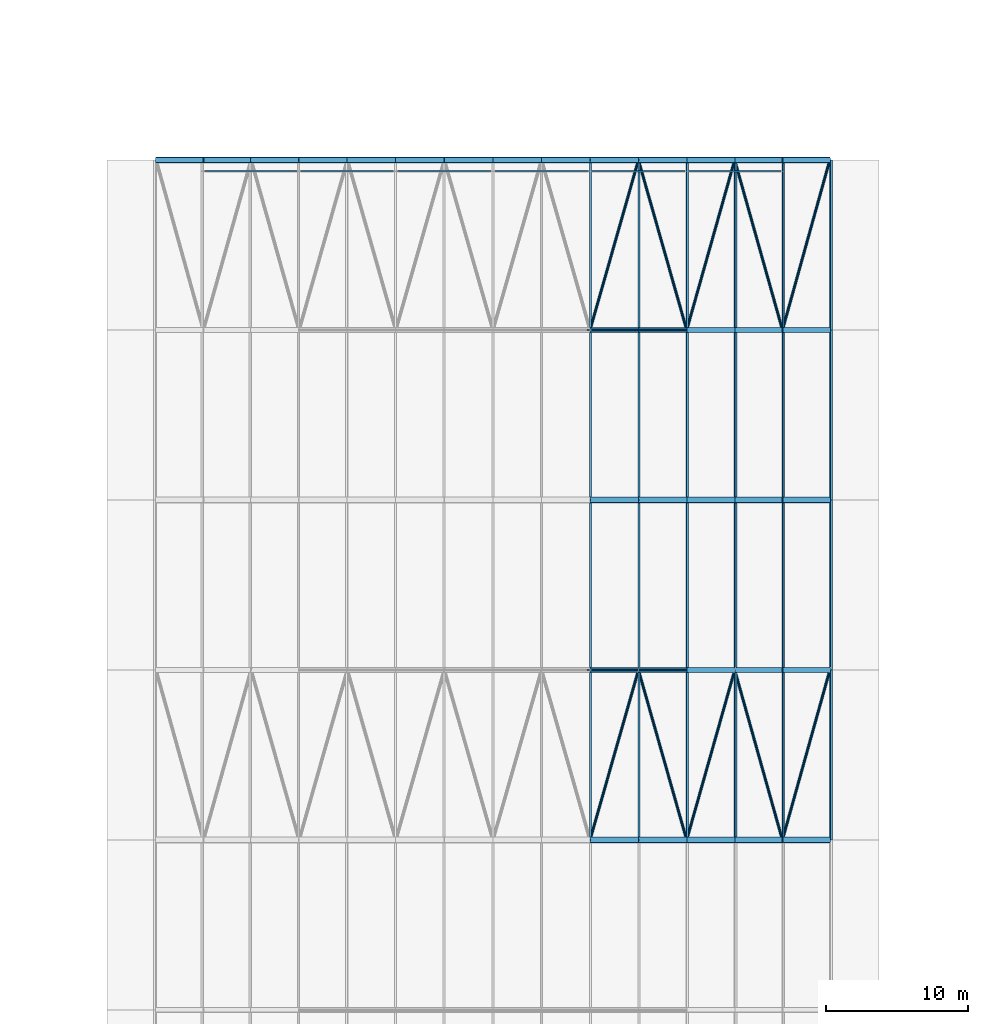
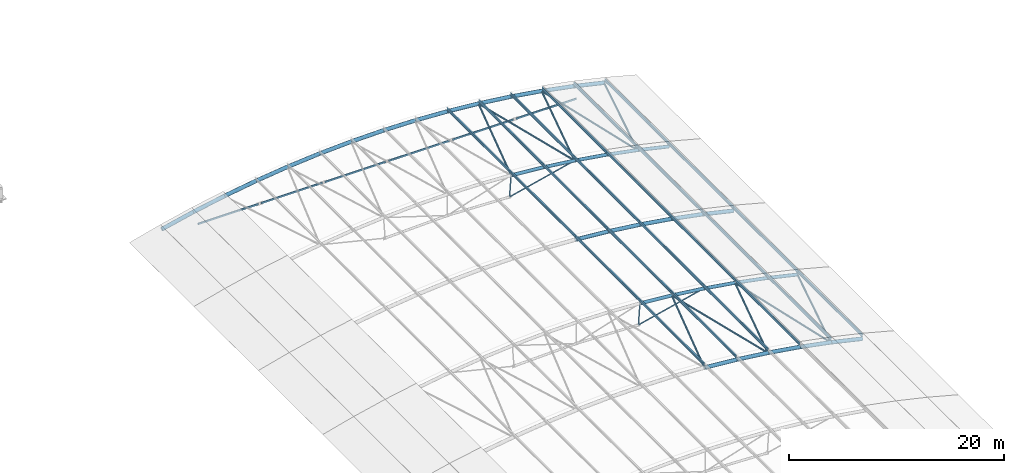
# One storey, part 41 of 91: 78 members.
"""IFC4 building model written with IfcOpenShell, lengths in metres."""

from ifc_helpers import new_model, si_unit, direction, frame, origin, origin_2d, place, context, subcontext, project, spatial, hollow_rectangle, hollow_circle, i_section, extrude, material, material_profile, profile_set, type_object, element, save


model = new_model("IFC4")

# Units and contexts
model_context = context("Model", 3, precision=1e-05, world=origin(), true_north=direction((0.0, 1.0)))
body_context = subcontext(model_context, "Body", "Model", "MODEL_VIEW")
ifc_project = project(units=[si_unit("LENGTHUNIT", "METRE"), si_unit("AREAUNIT", "SQUARE_METRE"), si_unit("VOLUMEUNIT", "CUBIC_METRE"), si_unit("PLANEANGLEUNIT", "RADIAN"), si_unit("MASSUNIT", "GRAM", prefix="KILO")], contexts=[model_context])

# Site, building, storey
site_placement = place(None, origin())
site = spatial("IfcSite", under=ifc_project, at=site_placement, CompositionType="ELEMENT")
building_placement = place(site_placement, origin())
building = spatial("IfcBuilding", under=site, at=building_placement, Name="Ravi Spectrum Wholesale Market", CompositionType="ELEMENT")
storey_placement = place(building_placement, frame((0.0, 0.0, 16.199951171875)))
storey = spatial("IfcBuildingStorey", under=building, at=storey_placement, Name="ROOF PLANT LEVEL", CompositionType="ELEMENT", Elevation=16.199951171875)

# Members
ifc_material_1 = material(Name="Steel S355", Category="steel")
ifc_material_profile_1 = material_profile(ifc_material_1, hollow_circle(Radius=0.06982421875, WallThickness=0.0048828125, at=origin_2d()))
ifc_profile_set_1 = profile_set([ifc_material_profile_1], Name="Steel S355")
member_type_1 = type_object("IfcMemberType", Name="CHS 139.7x5 brace", PredefinedType="BRACE", material=ifc_profile_set_1)
for number, where, z_axis, x_axis, name in (
    (1, (83.681884765625, 162.0, 2.079833984375), (-0.97214359809, 0.0, -0.234386059083), (0.0, -1.0, 0.0), "H1-MB-L02-963"),
    (2, (83.681884765625, 186.0, 2.079833984375), (-0.97214359809, 0.0, -0.234386059083), (0.0, -1.0, 0.0), "H1-MB-L02-1125"),
):
    element("IfcMember", number, at=place(storey_placement, frame(where, z_axis=z_axis, x_axis=x_axis)), inside=storey, type_object=member_type_1, Name=name, PredefinedType="BRACE", context=body_context, shape_type="SweptSolid", body=[
        extrude(hollow_circle(Radius=0.06982421875, WallThickness=0.0048828125, at=origin_2d()), origin(), (0.0, 0.0, 1.0), 7.190185546875),
    ])
ifc_material_2 = material(Name="Steel S355", Category="steel")
ifc_material_profile_2 = material_profile(ifc_material_2, hollow_circle(Radius=0.06982421875, WallThickness=0.0048828125, at=origin_2d()))
ifc_profile_set_2 = profile_set([ifc_material_profile_2], Name="Steel S355")
member_type_2 = type_object("IfcMemberType", Name="CHS 139.7x5 post", PredefinedType="POST", material=ifc_profile_set_2)
for number, where, z_axis, x_axis, name in (
    (3, (76.857177734375, 162.0, 2.788818359375), (-0.068868423963, 0.0, -0.997625751563), (0.0, -1.0, 0.0), "H1-MB-L02-952"),
    (4, (76.857177734375, 186.0, 2.788818359375), (-0.068868423963, 0.0, -0.997625751563), (0.0, -1.0, 0.0), "H1-MB-L02-1114"),
):
    element("IfcMember", number, at=place(storey_placement, frame(where, z_axis=z_axis, x_axis=x_axis)), inside=storey, type_object=member_type_2, Name=name, PredefinedType="POST", context=body_context, shape_type="SweptSolid", body=[
        extrude(hollow_circle(Radius=0.06982421875, WallThickness=0.0048828125, at=origin_2d()), origin(), (0.0, 0.0, 1.0), 2.39990234375),
    ])
ifc_material_3 = material(Name="Steel S355", Category="steel")
ifc_material_profile_3 = material_profile(ifc_material_3, hollow_circle(Radius=0.096923828125, WallThickness=0.00634765625, at=origin_2d()))
ifc_profile_set_3 = profile_set([ifc_material_profile_3], Name="Steel S355")
member_type_3 = type_object("IfcMemberType", Name="CHS 193.7x6.3 brace", PredefinedType="BRACE", material=ifc_profile_set_3)
member_1_placement = place(storey_placement, frame((76.85546875, 150.0, 2.763427734375), z_axis=(0.274034013599, 0.9614761822, -0.021654340285), x_axis=(-0.961701684624, 0.27409828491, 0.0)))
element("IfcMember", 5, at=member_1_placement, inside=storey, type_object=member_type_3, Name="H1-MB-L02-1694", PredefinedType="BRACE", context=body_context, shape_type="SweptSolid", body=[
    extrude(hollow_circle(Radius=0.096923828125, WallThickness=0.00634765625, at=origin_2d()), origin(), (0.0, 0.0, 1.0), 12.480712890625),
])
member_2_placement = place(storey_placement, frame((80.275634765625, 162.0, 2.4931640625), z_axis=(0.272644331553, -0.961473251867, -0.035131957201), x_axis=(0.962067152996, 0.272812743702, 0.0)))
element("IfcMember", 6, at=member_2_placement, inside=storey, type_object=member_type_3, Name="H1-MB-L02-1695", PredefinedType="BRACE", context=body_context, shape_type="SweptSolid", body=[
    extrude(hollow_circle(Radius=0.096923828125, WallThickness=0.00634765625, at=origin_2d()), origin(), (0.0, 0.0, 1.0), 12.48095703125),
])
member_3_placement = place(storey_placement, frame((83.678466796875, 150.0, 2.0546875), z_axis=(0.271882814956, 0.961478100635, -0.040491936611), x_axis=(-0.962267289503, 0.272105978532, 0.0)))
element("IfcMember", 7, at=member_3_placement, inside=storey, type_object=member_type_3, Name="H1-MB-L02-1696", PredefinedType="BRACE", context=body_context, shape_type="SweptSolid", body=[
    extrude(hollow_circle(Radius=0.096923828125, WallThickness=0.00634765625, at=origin_2d()), origin(), (0.0, 0.0, 1.0), 12.480712890625),
])
for number, where, z_axis, x_axis, name in (
    (8, (87.07177734375, 162.0, 1.54931640625), (0.269573425524, -0.961473986747, -0.053832527904), (0.962870169495, 0.269964880489, 0.0), "H1-MB-L02-1697"),
    (9, (90.436279296875, 150.0, 0.87744140625), (0.268458266113, 0.961473382103, -0.059153147532), (-0.963159952785, 0.26892918278, 0.0), "H1-MB-L02-1698"),
    (10, (76.857177734375, 186.0, 2.788818359375), (0.273700155863, 0.961471559533, -0.025703402287), (-0.961789322244, 0.273790612729, 0.0), "H1-MB-L02-1718"),
):
    element("IfcMember", number, at=place(storey_placement, frame(where, z_axis=z_axis, x_axis=x_axis)), inside=storey, type_object=member_type_3, Name=name, PredefinedType="BRACE", context=body_context, shape_type="SweptSolid", body=[
        extrude(hollow_circle(Radius=0.096923828125, WallThickness=0.00634765625, at=origin_2d()), origin(), (0.0, 0.0, 1.0), 12.48095703125),
    ])
for number, where, z_axis, x_axis, name in (
    (11, (80.273193359375, 198.0, 2.468017578125), (0.273115259603, -0.961478387049, -0.0311025113), (0.961943775579, 0.273247456759, 0.0), "H1-MB-L02-1719"),
    (12, (83.681884765625, 186.0, 2.079833984375), (0.271256737802, 0.961477693548, -0.044501988786), (-0.962431178207, 0.271525739506, 0.0), "H1-MB-L02-1720"),
    (13, (87.0673828125, 198.0, 1.5244140625), (0.270336560063, -0.961474862535, -0.049842080683), (0.962671356068, 0.270672976499, 0.0), "H1-MB-L02-1721"),
):
    element("IfcMember", number, at=place(storey_placement, frame(where, z_axis=z_axis, x_axis=x_axis)), inside=storey, type_object=member_type_3, Name=name, PredefinedType="BRACE", context=body_context, shape_type="SweptSolid", body=[
        extrude(hollow_circle(Radius=0.096923828125, WallThickness=0.00634765625, at=origin_2d()), origin(), (0.0, 0.0, 1.0), 12.480712890625),
    ])
member_4_placement = place(storey_placement, frame((90.44140625, 186.0, 0.90234375), z_axis=(0.267558016602, 0.961471825707, -0.063123974234), x_axis=(-0.963393127067, 0.268092675619, 0.0)))
element("IfcMember", 14, at=member_4_placement, inside=storey, type_object=member_type_3, Name="H1-MB-L02-1722", PredefinedType="BRACE", context=body_context, shape_type="SweptSolid", body=[
    extrude(hollow_circle(Radius=0.096923828125, WallThickness=0.00634765625, at=origin_2d()), origin(), (0.0, 0.0, 1.0), 12.48095703125),
])
ifc_material_4 = material(Name="Steel S355", Category="steel")
ifc_material_profile_4 = material_profile(ifc_material_4, hollow_circle(Radius=0.177734375, WallThickness=0.012451171875, at=origin_2d()))
ifc_profile_set_4 = profile_set([ifc_material_profile_4], Name="Steel S355")
member_type_4 = type_object("IfcMemberType", Name="CHS 355.6x12.5 chord", PredefinedType="CHORD", material=ifc_profile_set_4)
for number, where, z_axis, x_axis, name in (
    (15, (76.857177734375, 162.0, 2.788818359375), (0.996280795756, 0.0, -0.086165979407), (0.0, 1.0, 0.0), "H1-MB-L02-924"),
    (16, (80.275634765625, 162.0, 2.4931640625), (0.992718062095, 0.0, -0.120460986176), (0.0, 1.0, 0.0), "H1-MB-L02-925"),
    (17, (83.681884765625, 162.0, 2.079833984375), (0.987974358509, 0.0, -0.154617809221), (0.0, 1.0, 0.0), "H1-MB-L02-926"),
    (18, (87.07177734375, 162.0, 1.54931640625), (0.982062230733, 0.0, -0.188557086759), (0.0, 1.0, 0.0), "H1-MB-L02-927"),
):
    element("IfcMember", number, at=place(storey_placement, frame(where, z_axis=z_axis, x_axis=x_axis)), inside=storey, type_object=member_type_4, Name=name, PredefinedType="CHORD", context=body_context, shape_type="SweptSolid", body=[
        extrude(hollow_circle(Radius=0.177734375, WallThickness=0.012451171875, at=origin_2d()), origin(), (0.0, 0.0, 1.0), 3.43115234375),
    ])
member_5_placement = place(storey_placement, frame((90.44140625, 162.0, 0.90234375), z_axis=(0.974952916083, 0.0, -0.222411356322), x_axis=(0.0, 1.0, 0.0)))
element("IfcMember", 19, at=member_5_placement, inside=storey, type_object=member_type_4, Name="H1-MB-L02-928", PredefinedType="CHORD", context=body_context, shape_type="SweptSolid", body=[
    extrude(hollow_circle(Radius=0.177734375, WallThickness=0.012451171875, at=origin_2d()), origin(), (0.0, 0.0, 1.0), 3.431396484375),
])
for number, where, z_axis, x_axis, name in (
    (20, (76.857177734375, 186.0, 2.788818359375), (0.996280795756, 0.0, -0.086165979407), (0.0, 1.0, 0.0), "H1-MB-L02-1086"),
    (21, (80.275634765625, 186.0, 2.4931640625), (0.992718062095, 0.0, -0.120460986176), (0.0, 1.0, 0.0), "H1-MB-L02-1087"),
    (22, (83.681884765625, 186.0, 2.079833984375), (0.987974358509, 0.0, -0.154617809221), (0.0, 1.0, 0.0), "H1-MB-L02-1088"),
    (23, (87.07177734375, 186.0, 1.54931640625), (0.982062230733, 0.0, -0.188557086759), (0.0, 1.0, 0.0), "H1-MB-L02-1089"),
):
    element("IfcMember", number, at=place(storey_placement, frame(where, z_axis=z_axis, x_axis=x_axis)), inside=storey, type_object=member_type_4, Name=name, PredefinedType="CHORD", context=body_context, shape_type="SweptSolid", body=[
        extrude(hollow_circle(Radius=0.177734375, WallThickness=0.012451171875, at=origin_2d()), origin(), (0.0, 0.0, 1.0), 3.43115234375),
    ])
member_6_placement = place(storey_placement, frame((90.44140625, 186.0, 0.90234375), z_axis=(0.974952916083, 0.0, -0.222411356322), x_axis=(0.0, 1.0, 0.0)))
element("IfcMember", 24, at=member_6_placement, inside=storey, type_object=member_type_4, Name="H1-MB-L02-1090", PredefinedType="CHORD", context=body_context, shape_type="SweptSolid", body=[
    extrude(hollow_circle(Radius=0.177734375, WallThickness=0.012451171875, at=origin_2d()), origin(), (0.0, 0.0, 1.0), 3.431396484375),
])
ifc_material_5 = material(Name="Steel S355", Category="steel")
ifc_material_profile_5 = material_profile(ifc_material_5, hollow_circle(Radius=0.203125, WallThickness=0.01611328125, at=origin_2d()))
ifc_profile_set_5 = profile_set([ifc_material_profile_5], Name="Steel S355")
member_type_5 = type_object("IfcMemberType", Name="CHS 406.4x16 chord", PredefinedType="CHORD", material=ifc_profile_set_5)
member_7_placement = place(storey_placement, frame((76.85546875, 150.0, 2.763427734375), z_axis=(0.99628531868, 0.0, -0.086113667805), x_axis=(0.0, 1.0, 0.0)))
element("IfcMember", 25, at=member_7_placement, inside=storey, type_object=member_type_5, Name="H1-MB-L02-825", PredefinedType="CHORD", context=body_context, shape_type="SweptSolid", body=[
    extrude(hollow_circle(Radius=0.203125, WallThickness=0.01611328125, at=origin_2d()), origin(), (0.0, 0.0, 1.0), 3.430419921875),
])
for number, where, z_axis, x_axis, name in (
    (26, (80.273193359375, 150.0, 2.468017578125), (0.992713930418, 0.0, -0.120495030413), (0.0, 1.0, 0.0), "H1-MB-L02-826"),
    (27, (83.678466796875, 150.0, 2.0546875), (0.987978424514, 0.0, -0.154591826096), (0.0, 1.0, 0.0), "H1-MB-L02-827"),
):
    element("IfcMember", number, at=place(storey_placement, frame(where, z_axis=z_axis, x_axis=x_axis)), inside=storey, type_object=member_type_5, Name=name, PredefinedType="CHORD", context=body_context, shape_type="SweptSolid", body=[
        extrude(hollow_circle(Radius=0.203125, WallThickness=0.01611328125, at=origin_2d()), origin(), (0.0, 0.0, 1.0), 3.43017578125),
    ])
for number, where, z_axis, x_axis, name in (
    (28, (87.0673828125, 150.0, 1.5244140625), (0.982054639007, 0.0, -0.188596622463), (0.0, 1.0, 0.0), "H1-MB-L02-828"),
    (29, (90.436279296875, 150.0, 0.87744140625), (0.974954266394, 0.0, -0.222405437074), (0.0, 1.0, 0.0), "H1-MB-L02-829"),
    (30, (76.85546875, 174.0, 2.763427734375), (0.99628531868, 0.0, -0.086113667805), (0.0, 1.0, 0.0), "H1-MB-L02-987"),
):
    element("IfcMember", number, at=place(storey_placement, frame(where, z_axis=z_axis, x_axis=x_axis)), inside=storey, type_object=member_type_5, Name=name, PredefinedType="CHORD", context=body_context, shape_type="SweptSolid", body=[
        extrude(hollow_circle(Radius=0.203125, WallThickness=0.01611328125, at=origin_2d()), origin(), (0.0, 0.0, 1.0), 3.430419921875),
    ])
for number, where, z_axis, x_axis, name in (
    (31, (80.273193359375, 174.0, 2.468017578125), (0.992713930418, 0.0, -0.120495030413), (0.0, 1.0, 0.0), "H1-MB-L02-988"),
    (32, (83.678466796875, 174.0, 2.0546875), (0.987978424514, 0.0, -0.154591826096), (0.0, 1.0, 0.0), "H1-MB-L02-989"),
):
    element("IfcMember", number, at=place(storey_placement, frame(where, z_axis=z_axis, x_axis=x_axis)), inside=storey, type_object=member_type_5, Name=name, PredefinedType="CHORD", context=body_context, shape_type="SweptSolid", body=[
        extrude(hollow_circle(Radius=0.203125, WallThickness=0.01611328125, at=origin_2d()), origin(), (0.0, 0.0, 1.0), 3.43017578125),
    ])
for number, where, z_axis, x_axis, name in (
    (33, (87.0673828125, 174.0, 1.5244140625), (0.982054639007, 0.0, -0.188596622463), (0.0, 1.0, 0.0), "H1-MB-L02-990"),
    (34, (90.436279296875, 174.0, 0.87744140625), (0.974954266394, 0.0, -0.222405437074), (0.0, 1.0, 0.0), "H1-MB-L02-991"),
    (35, (46.21923828125, 198.0, 0.114501953125), (0.974954266394, 0.0, 0.222405437074), (0.0, 1.0, 0.0), "H1-MB-L02-1140"),
    (36, (49.563720703125, 198.0, 0.87744140625), (0.982054639007, 0.0, 0.188596622463), (0.0, 1.0, 0.0), "H1-MB-L02-1141"),
):
    element("IfcMember", number, at=place(storey_placement, frame(where, z_axis=z_axis, x_axis=x_axis)), inside=storey, type_object=member_type_5, Name=name, PredefinedType="CHORD", context=body_context, shape_type="SweptSolid", body=[
        extrude(hollow_circle(Radius=0.203125, WallThickness=0.01611328125, at=origin_2d()), origin(), (0.0, 0.0, 1.0), 3.430419921875),
    ])
for number, where, z_axis, x_axis, name in (
    (37, (52.9326171875, 198.0, 1.5244140625), (0.987978424514, 0.0, 0.154591826096), (0.0, 1.0, 0.0), "H1-MB-L02-1142"),
    (38, (56.321533203125, 198.0, 2.0546875), (0.992713930418, 0.0, 0.120495030413), (0.0, 1.0, 0.0), "H1-MB-L02-1143"),
):
    element("IfcMember", number, at=place(storey_placement, frame(where, z_axis=z_axis, x_axis=x_axis)), inside=storey, type_object=member_type_5, Name=name, PredefinedType="CHORD", context=body_context, shape_type="SweptSolid", body=[
        extrude(hollow_circle(Radius=0.203125, WallThickness=0.01611328125, at=origin_2d()), origin(), (0.0, 0.0, 1.0), 3.43017578125),
    ])
for number, where, z_axis, x_axis, name in (
    (39, (59.726806640625, 198.0, 2.468017578125), (0.99628531868, 0.0, 0.086113667805), (0.0, 1.0, 0.0), "H1-MB-L02-1144"),
    (40, (63.14453125, 198.0, 2.763427734375), (0.998660550273, 0.0, 0.051740751144), (0.0, 1.0, 0.0), "H1-MB-L02-1145"),
):
    element("IfcMember", number, at=place(storey_placement, frame(where, z_axis=z_axis, x_axis=x_axis)), inside=storey, type_object=member_type_5, Name=name, PredefinedType="CHORD", context=body_context, shape_type="SweptSolid", body=[
        extrude(hollow_circle(Radius=0.203125, WallThickness=0.01611328125, at=origin_2d()), origin(), (0.0, 0.0, 1.0), 3.430419921875),
    ])
for number, where, z_axis, x_axis, name in (
    (41, (66.5703125, 198.0, 2.94091796875), (0.999851654256, 0.0, 0.01722409598), (0.0, 1.0, 0.0), "H1-MB-L02-1146"),
    (42, (70.0, 198.0, 3.0), (0.999851654256, 0.0, -0.01722409598), (0.0, 1.0, 0.0), "H1-MB-L02-1147"),
):
    element("IfcMember", number, at=place(storey_placement, frame(where, z_axis=z_axis, x_axis=x_axis)), inside=storey, type_object=member_type_5, Name=name, PredefinedType="CHORD", context=body_context, shape_type="SweptSolid", body=[
        extrude(hollow_circle(Radius=0.203125, WallThickness=0.01611328125, at=origin_2d()), origin(), (0.0, 0.0, 1.0), 3.43017578125),
    ])
for number, where, z_axis, x_axis, name in (
    (43, (73.4296875, 198.0, 2.94091796875), (0.998660550273, 0.0, -0.051740751144), (0.0, 1.0, 0.0), "H1-MB-L02-1148"),
    (44, (76.85546875, 198.0, 2.763427734375), (0.99628531868, 0.0, -0.086113667805), (0.0, 1.0, 0.0), "H1-MB-L02-1149"),
):
    element("IfcMember", number, at=place(storey_placement, frame(where, z_axis=z_axis, x_axis=x_axis)), inside=storey, type_object=member_type_5, Name=name, PredefinedType="CHORD", context=body_context, shape_type="SweptSolid", body=[
        extrude(hollow_circle(Radius=0.203125, WallThickness=0.01611328125, at=origin_2d()), origin(), (0.0, 0.0, 1.0), 3.430419921875),
    ])
for number, where, z_axis, x_axis, name in (
    (45, (80.273193359375, 198.0, 2.468017578125), (0.992713930418, 0.0, -0.120495030413), (0.0, 1.0, 0.0), "H1-MB-L02-1150"),
    (46, (83.678466796875, 198.0, 2.0546875), (0.987978424514, 0.0, -0.154591826096), (0.0, 1.0, 0.0), "H1-MB-L02-1151"),
):
    element("IfcMember", number, at=place(storey_placement, frame(where, z_axis=z_axis, x_axis=x_axis)), inside=storey, type_object=member_type_5, Name=name, PredefinedType="CHORD", context=body_context, shape_type="SweptSolid", body=[
        extrude(hollow_circle(Radius=0.203125, WallThickness=0.01611328125, at=origin_2d()), origin(), (0.0, 0.0, 1.0), 3.43017578125),
    ])
for number, where, z_axis, x_axis, name in (
    (47, (87.0673828125, 198.0, 1.5244140625), (0.982054639007, 0.0, -0.188596622463), (0.0, 1.0, 0.0), "H1-MB-L02-1152"),
    (48, (90.436279296875, 198.0, 0.87744140625), (0.974954266394, 0.0, -0.222405437074), (0.0, 1.0, 0.0), "H1-MB-L02-1153"),
):
    element("IfcMember", number, at=place(storey_placement, frame(where, z_axis=z_axis, x_axis=x_axis)), inside=storey, type_object=member_type_5, Name=name, PredefinedType="CHORD", context=body_context, shape_type="SweptSolid", body=[
        extrude(hollow_circle(Radius=0.203125, WallThickness=0.01611328125, at=origin_2d()), origin(), (0.0, 0.0, 1.0), 3.430419921875),
    ])
ifc_material_6 = material(Name="Steel S355", Category="steel")
ifc_material_profile_6 = material_profile(ifc_material_6, i_section(OverallWidth=0.135009765625, OverallDepth=0.27001953125, WebThickness=0.006591796875, FlangeThickness=0.01025390625, at=origin_2d()))
ifc_profile_set_6 = profile_set([ifc_material_profile_6], Name="Steel S355")
member_type_6 = type_object("IfcMemberType", Name="IPE 270 purlin", PredefinedType="PURLIN", material=ifc_profile_set_6)
for number, where, z_axis, x_axis, name in (
    (49, (76.87890625, 150.0, 3.100830078125), (0.0, 1.0, 0.0), (-0.997620623348, 0.0, 0.068942670899), "H1-MB-L02-1498"),
    (50, (80.30810546875, 150.0, 2.804443359375), (0.0, 1.0, 0.0), (-0.994649057067, 0.0, 0.103311438261), "H1-MB-L02-1499"),
    (51, (83.724853515625, 150.0, 2.3896484375), (0.0, 1.0, 0.0), (-0.99049381866, 0.0, 0.137557243347), "H1-MB-L02-1500"),
    (52, (87.12548828125, 150.0, 1.857666015625), (0.0, 1.0, 0.0), (-0.985159848831, 0.0, 0.171639366844), "H1-MB-L02-1501"),
    (53, (90.505859375, 150.0, 1.208251953125), (0.0, 1.0, 0.0), (-0.978653497036, 0.0, 0.205517232221), "H1-MB-L02-1502"),
    (54, (93.861572265625, 150.0, 0.44287109375), (0.0, 1.0, 0.0), (-0.970982506107, 0.0, 0.239150523382), "H1-MB-L02-1503"),
    (55, (76.87890625, 162.0, 3.100830078125), (0.0, 1.0, 0.0), (-0.997620623348, 0.0, 0.068942670899), "H1-MB-L02-1523"),
    (56, (80.30810546875, 162.0, 2.804443359375), (0.0, 1.0, 0.0), (-0.994649057067, 0.0, 0.103311438261), "H1-MB-L02-1524"),
    (57, (83.724853515625, 162.0, 2.3896484375), (0.0, 1.0, 0.0), (-0.99049381866, 0.0, 0.137557243347), "H1-MB-L02-1525"),
    (58, (87.12548828125, 162.0, 1.857666015625), (0.0, 1.0, 0.0), (-0.985159848831, 0.0, 0.171639366844), "H1-MB-L02-1526"),
    (59, (90.505859375, 162.0, 1.208251953125), (0.0, 1.0, 0.0), (-0.978653497036, 0.0, 0.205517232221), "H1-MB-L02-1527"),
    (60, (93.861572265625, 162.0, 0.44287109375), (0.0, 1.0, 0.0), (-0.970982506107, 0.0, 0.239150523382), "H1-MB-L02-1528"),
    (61, (76.87890625, 174.0, 3.100830078125), (0.0, 1.0, 0.0), (-0.997620623348, 0.0, 0.068942670899), "H1-MB-L02-1548"),
    (62, (80.30810546875, 174.0, 2.804443359375), (0.0, 1.0, 0.0), (-0.994649057067, 0.0, 0.103311438261), "H1-MB-L02-1549"),
    (63, (83.724853515625, 174.0, 2.3896484375), (0.0, 1.0, 0.0), (-0.99049381866, 0.0, 0.137557243347), "H1-MB-L02-1550"),
    (64, (87.12548828125, 174.0, 1.857666015625), (0.0, 1.0, 0.0), (-0.985159848831, 0.0, 0.171639366844), "H1-MB-L02-1551"),
    (65, (90.505859375, 174.0, 1.208251953125), (0.0, 1.0, 0.0), (-0.978653497036, 0.0, 0.205517232221), "H1-MB-L02-1552"),
    (66, (93.861572265625, 174.0, 0.44287109375), (0.0, 1.0, 0.0), (-0.970982506107, 0.0, 0.239150523382), "H1-MB-L02-1553"),
    (67, (76.87890625, 186.0, 3.100830078125), (0.0, 1.0, 0.0), (-0.997620623348, 0.0, 0.068942670899), "H1-MB-L02-1573"),
    (68, (80.30810546875, 186.0, 2.804443359375), (0.0, 1.0, 0.0), (-0.994649057067, 0.0, 0.103311438261), "H1-MB-L02-1574"),
    (69, (83.724853515625, 186.0, 2.3896484375), (0.0, 1.0, 0.0), (-0.99049381866, 0.0, 0.137557243347), "H1-MB-L02-1575"),
    (70, (87.12548828125, 186.0, 1.857666015625), (0.0, 1.0, 0.0), (-0.985159848831, 0.0, 0.171639366844), "H1-MB-L02-1576"),
    (71, (90.505859375, 186.0, 1.208251953125), (0.0, 1.0, 0.0), (-0.978653497036, 0.0, 0.205517232221), "H1-MB-L02-1577"),
    (72, (93.861572265625, 186.0, 0.44287109375), (0.0, 1.0, 0.0), (-0.970982506107, 0.0, 0.239150523382), "H1-MB-L02-1578"),
):
    element("IfcMember", number, at=place(storey_placement, frame(where, z_axis=z_axis, x_axis=x_axis)), inside=storey, type_object=member_type_6, Name=name, PredefinedType="PURLIN", context=body_context, shape_type="SweptSolid", body=[
        extrude(i_section(OverallWidth=0.135009765625, OverallDepth=0.27001953125, WebThickness=0.006591796875, FlangeThickness=0.01025390625, at=origin_2d()), origin(), (0.0, 0.0, 1.0), 12.0),
    ])
ifc_material_7 = material(Name="Steel S355", Category="steel")
ifc_material_profile_7 = material_profile(ifc_material_7, hollow_rectangle(XDim=0.10009765625, YDim=0.199951171875, WallThickness=0.00634765625, InnerFilletRadius=0.00634765625, OuterFilletRadius=0.0126953125, at=origin_2d()))
ifc_profile_set_7 = profile_set([ifc_material_profile_7], Name="Steel S355")
member_type_7 = type_object("IfcMemberType", Name="RHS 200x100x6.3 strut", PredefinedType="STRUT", material=ifc_profile_set_7)
member_8_placement = place(storey_placement, frame((49.658447265625, 197.199951171875, 0.0), z_axis=(1.0, 0.0, 0.0), x_axis=(0.0, 1.0, 0.0)))
element("IfcMember", 73, at=member_8_placement, inside=storey, type_object=member_type_7, Name="H1-MB-L02-1763", PredefinedType="STRUT", context=body_context, shape_type="SweptSolid", body=[
    extrude(hollow_rectangle(XDim=0.10009765625, YDim=0.199951171875, WallThickness=0.00634765625, InnerFilletRadius=0.00634765625, OuterFilletRadius=0.0126953125, at=origin_2d()), origin(), (0.0, 0.0, 1.0), 6.498779296875),
])
member_9_placement = place(storey_placement, frame((56.43017578125, 197.199951171875, 0.0), z_axis=(1.0, 0.0, 0.0), x_axis=(0.0, 1.0, 0.0)))
element("IfcMember", 74, at=member_9_placement, inside=storey, type_object=member_type_7, Name="H1-MB-L02-1764", PredefinedType="STRUT", context=body_context, shape_type="SweptSolid", body=[
    extrude(hollow_rectangle(XDim=0.10009765625, YDim=0.199951171875, WallThickness=0.00634765625, InnerFilletRadius=0.00634765625, OuterFilletRadius=0.0126953125, at=origin_2d()), origin(), (0.0, 0.0, 1.0), 6.563720703125),
])
for number, where, z_axis, x_axis, name in (
    (75, (63.266845703125, 197.199951171875, 0.0), (1.0, 0.0, 0.0), (0.0, 1.0, 0.0), "H1-MB-L02-1765"),
    (76, (70.136474609375, 197.199951171875, 0.0), (1.0, 0.0, 0.0), (0.0, 1.0, 0.0), "H1-MB-L02-1766"),
):
    element("IfcMember", number, at=place(storey_placement, frame(where, z_axis=z_axis, x_axis=x_axis)), inside=storey, type_object=member_type_7, Name=name, PredefinedType="STRUT", context=body_context, shape_type="SweptSolid", body=[
        extrude(hollow_rectangle(XDim=0.10009765625, YDim=0.199951171875, WallThickness=0.00634765625, InnerFilletRadius=0.00634765625, OuterFilletRadius=0.0126953125, at=origin_2d()), origin(), (0.0, 0.0, 1.0), 6.5966796875),
    ])
member_10_placement = place(storey_placement, frame((77.006103515625, 197.199951171875, 0.0), z_axis=(1.0, 0.0, 0.0), x_axis=(0.0, 1.0, 0.0)))
element("IfcMember", 77, at=member_10_placement, inside=storey, type_object=member_type_7, Name="H1-MB-L02-1767", PredefinedType="STRUT", context=body_context, shape_type="SweptSolid", body=[
    extrude(hollow_rectangle(XDim=0.10009765625, YDim=0.199951171875, WallThickness=0.00634765625, InnerFilletRadius=0.00634765625, OuterFilletRadius=0.0126953125, at=origin_2d()), origin(), (0.0, 0.0, 1.0), 6.563720703125),
])
member_11_placement = place(storey_placement, frame((83.8427734375, 197.199951171875, 0.0), z_axis=(1.0, 0.0, 0.0), x_axis=(0.0, 1.0, 0.0)))
element("IfcMember", 78, at=member_11_placement, inside=storey, type_object=member_type_7, Name="H1-MB-L02-1768", PredefinedType="STRUT", context=body_context, shape_type="SweptSolid", body=[
    extrude(hollow_rectangle(XDim=0.10009765625, YDim=0.199951171875, WallThickness=0.00634765625, InnerFilletRadius=0.00634765625, OuterFilletRadius=0.0126953125, at=origin_2d()), origin(), (0.0, 0.0, 1.0), 6.498779296875),
])

save(model, "model.ifc")
